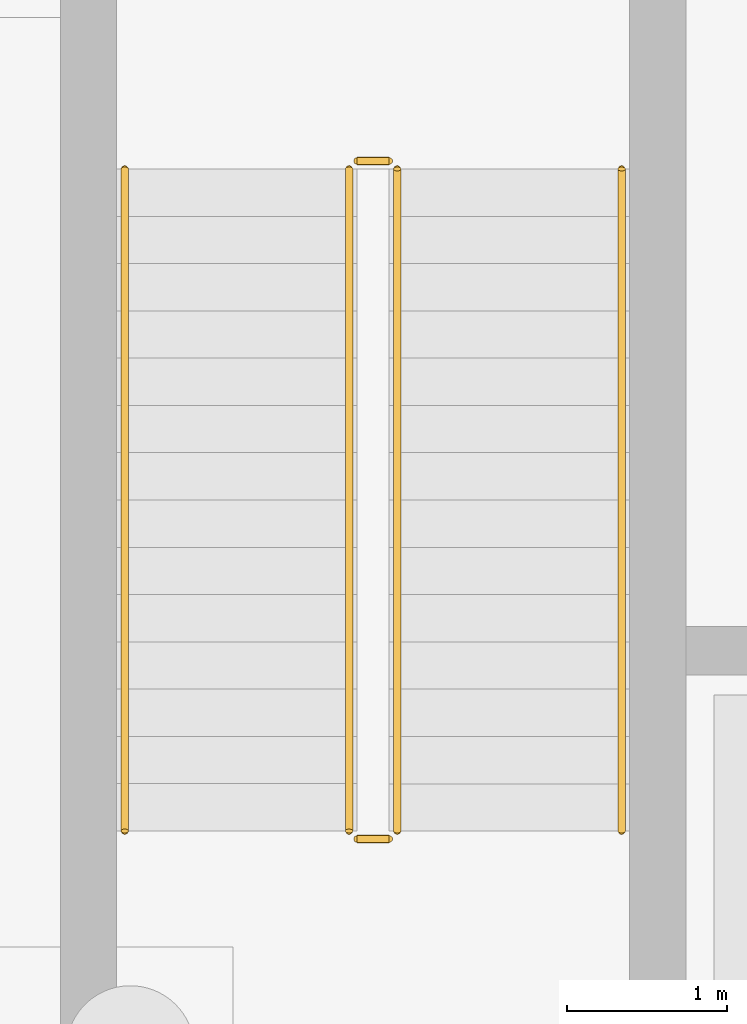
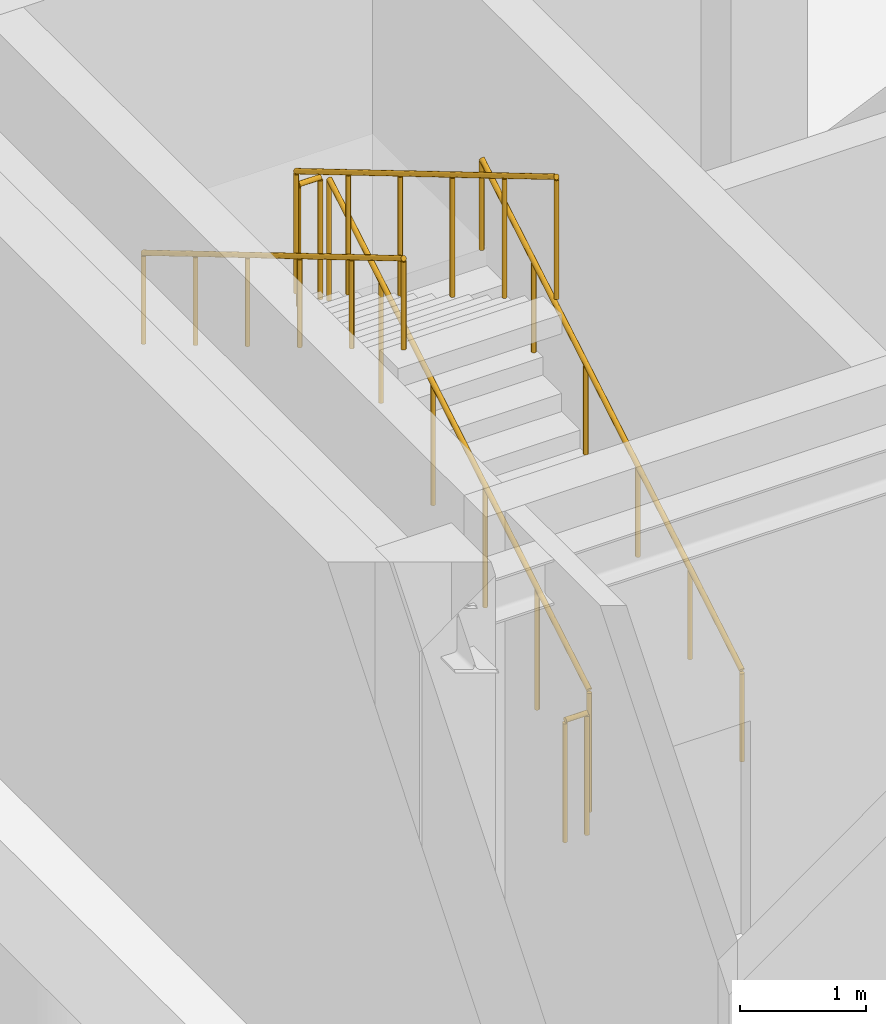
# One storey, part 28 of 33: 6 railings.
"""IFC4 building model written with IfcOpenShell, lengths in metres."""

from ifc_helpers import new_model, si_unit, direction, frame, origin, origin_2d, place, context, subcontext, project, spatial, circle, extrude, material, layer, layer_set, type_object, element, save


model = new_model("IFC4")

# Units and contexts
model_context = context("Model", 3, precision=1e-05, world=origin(), true_north=direction((0.0, 1.0)))
body_context = subcontext(model_context, "Body", "Model", "MODEL_VIEW")
ifc_project = project(units=[si_unit("LENGTHUNIT", "METRE"), si_unit("AREAUNIT", "SQUARE_METRE"), si_unit("VOLUMEUNIT", "CUBIC_METRE"), si_unit("PLANEANGLEUNIT", "RADIAN"), si_unit("MASSUNIT", "GRAM", prefix="KILO")], contexts=[model_context])

# Site, building, storey
site_placement = place(None, origin())
site = spatial("IfcSite", under=ifc_project, at=site_placement, CompositionType="ELEMENT")
building_placement = place(site_placement, origin())
building = spatial("IfcBuilding", under=site, at=building_placement, Name="Nordkorset Police Headquarters", CompositionType="ELEMENT")
storey_placement = place(building_placement, frame((0.0, 0.0, -9.800048828125)))
storey = spatial("IfcBuildingStorey", under=building, at=storey_placement, Name="B02", CompositionType="ELEMENT", Elevation=-9.800048828125)

# Railings
ifc_material_1 = material(Name="Steel S355J2", Category="steel")
ifc_layer_1 = layer(ifc_material_1, 0.048095703125, Name="Steel S355J2")
ifc_layer_set_1 = layer_set([ifc_layer_1], Name="Steel S355J2")
railing_type_1 = type_object("IfcRailingType", Name="Railing_Handrail_900", PredefinedType="HANDRAIL", material=ifc_layer_set_1)
railing_1_placement = place(storey_placement, frame((4.324951171875, 41.02490234375, 0.175048828125)))
element("IfcRailing", 1, at=railing_1_placement, inside=storey, type_object=railing_type_1, Name="B02 ST-04 stair handrail 1", PredefinedType="HANDRAIL", context=body_context, shape_type="SweptSolid", body=[
    extrude(circle(Radius=0.02392578125, at=origin_2d()), frame((0.0, 0.0, 0.8759765625), z_axis=(0.0, 0.860065997128, 0.510182791345), x_axis=(-1.0, 0.0, 0.0)), (0.0, 0.0, 1.0), 4.802001953125),
    extrude(circle(Radius=0.02099609375, at=origin_2d()), origin(), (0.0, 0.0, 1.0), 0.851806640625),
    extrude(circle(Radius=0.02099609375, at=origin_2d()), frame((0.0, 0.825927734375, 0.489990234375)), (0.0, 0.0, 1.0), 0.851806640625),
    extrude(circle(Radius=0.02099609375, at=origin_2d()), frame((0.0, 1.652099609375, 0.97998046875)), (0.0, 0.0, 1.0), 0.851806640625),
    extrude(circle(Radius=0.02099609375, at=origin_2d()), frame((0.0, 2.47802734375, 1.469970703125)), (0.0, 0.0, 1.0), 0.851806640625),
    extrude(circle(Radius=0.02099609375, at=origin_2d()), frame((0.0, 3.30419921875, 1.9599609375)), (0.0, 0.0, 1.0), 0.851806640625),
    extrude(circle(Radius=0.02099609375, at=origin_2d()), frame((0.0, 4.130126953125, 2.449951171875)), (0.0, 0.0, 1.0), 0.851806640625),
])
railing_2_placement = place(storey_placement, frame((1.22509765625, 45.155029296875, 2.800048828125)))
element("IfcRailing", 2, at=railing_2_placement, inside=storey, type_object=railing_type_1, Name="B02 ST-04 stair handrail 2", PredefinedType="HANDRAIL", context=body_context, shape_type="SweptSolid", body=[
    extrude(circle(Radius=0.02392578125, at=origin_2d()), frame((0.0, 0.0, 0.8759765625), z_axis=(0.0, -0.860065997128, 0.510182791345), x_axis=(1.0, 0.0, 0.0)), (0.0, 0.0, 1.0), 4.802001953125),
    extrude(circle(Radius=0.02099609375, at=origin_2d()), origin(), (0.0, 0.0, 1.0), 0.851806640625),
    extrude(circle(Radius=0.02099609375, at=origin_2d()), frame((0.0, -0.825927734375, 0.489990234375)), (0.0, 0.0, 1.0), 0.851806640625),
    extrude(circle(Radius=0.02099609375, at=origin_2d()), frame((0.0, -1.652099609375, 0.97998046875)), (0.0, 0.0, 1.0), 0.851806640625),
    extrude(circle(Radius=0.02099609375, at=origin_2d()), frame((0.0, -2.47802734375, 1.469970703125)), (0.0, 0.0, 1.0), 0.851806640625),
    extrude(circle(Radius=0.02099609375, at=origin_2d()), frame((0.0, -3.30419921875, 1.9599609375)), (0.0, 0.0, 1.0), 0.851806640625),
    extrude(circle(Radius=0.02099609375, at=origin_2d()), frame((0.0, -4.130126953125, 2.449951171875)), (0.0, 0.0, 1.0), 0.851806640625),
])
ifc_material_2 = material(Name="Steel S355J2", Category="steel")
ifc_layer_2 = layer(ifc_material_2, 0.050048828125, Name="Steel S355J2")
ifc_layer_set_2 = layer_set([ifc_layer_2], Name="Steel S355J2")
railing_type_2 = type_object("IfcRailingType", Name="Railing_StairGuard_1200", PredefinedType="GUARDRAIL", material=ifc_layer_set_2)
railing_3_placement = place(storey_placement, frame((2.925048828125, 41.02490234375, 0.175048828125)))
element("IfcRailing", 3, at=railing_3_placement, inside=storey, type_object=railing_type_2, Name="B02 ST-04 stair guard 1", PredefinedType="GUARDRAIL", context=body_context, shape_type="SweptSolid", body=[
    extrude(circle(Radius=0.02392578125, at=origin_2d()), frame((0.0, 0.0, 1.17578125), z_axis=(0.0, 0.860065997128, 0.510182791345), x_axis=(-1.0, 0.0, 0.0)), (0.0, 0.0, 1.0), 4.802001953125),
    extrude(circle(Radius=0.02099609375, at=origin_2d()), origin(), (0.0, 0.0, 1.0), 1.15185546875),
    extrude(circle(Radius=0.02099609375, at=origin_2d()), frame((0.0, 0.825927734375, 0.489990234375)), (0.0, 0.0, 1.0), 1.15185546875),
    extrude(circle(Radius=0.02099609375, at=origin_2d()), frame((0.0, 1.652099609375, 0.97998046875)), (0.0, 0.0, 1.0), 1.15185546875),
    extrude(circle(Radius=0.02099609375, at=origin_2d()), frame((0.0, 2.47802734375, 1.469970703125)), (0.0, 0.0, 1.0), 1.15185546875),
    extrude(circle(Radius=0.02099609375, at=origin_2d()), frame((0.0, 3.30419921875, 1.9599609375)), (0.0, 0.0, 1.0), 1.15185546875),
    extrude(circle(Radius=0.02099609375, at=origin_2d()), frame((0.0, 4.130126953125, 2.449951171875)), (0.0, 0.0, 1.0), 1.15185546875),
])
railing_4_placement = place(storey_placement, frame((2.875, 45.205078125, 2.625)))
element("IfcRailing", 4, at=railing_4_placement, inside=storey, type_object=railing_type_2, Name="B02 ST-04 stair guard 2", PredefinedType="GUARDRAIL", context=body_context, shape_type="SweptSolid", body=[
    extrude(circle(Radius=0.02392578125, at=origin_2d()), frame((0.0, 0.0, 1.17578125), z_axis=(-1.0, 0.0, 0.0), x_axis=(0.0, -1.0, 0.0)), (0.0, 0.0, 1.0), 0.199951171875),
    extrude(circle(Radius=0.02099609375, at=origin_2d()), origin(), (0.0, 0.0, 1.0), 1.15185546875),
    extrude(circle(Radius=0.02099609375, at=origin_2d()), frame((-0.199951171875, 0.0, 0.0)), (0.0, 0.0, 1.0), 1.15185546875),
])
railing_5_placement = place(storey_placement, frame((2.625, 45.155029296875, 2.800048828125)))
element("IfcRailing", 5, at=railing_5_placement, inside=storey, type_object=railing_type_2, Name="B02 ST-04 stair guard 3", PredefinedType="GUARDRAIL", context=body_context, shape_type="SweptSolid", body=[
    extrude(circle(Radius=0.02392578125, at=origin_2d()), frame((0.0, 0.0, 1.17578125), z_axis=(0.0, -0.860065997128, 0.510182791345), x_axis=(1.0, 0.0, 0.0)), (0.0, 0.0, 1.0), 4.802001953125),
    extrude(circle(Radius=0.02099609375, at=origin_2d()), origin(), (0.0, 0.0, 1.0), 1.15185546875),
    extrude(circle(Radius=0.02099609375, at=origin_2d()), frame((0.0, -0.825927734375, 0.489990234375)), (0.0, 0.0, 1.0), 1.15185546875),
    extrude(circle(Radius=0.02099609375, at=origin_2d()), frame((0.0, -1.652099609375, 0.97998046875)), (0.0, 0.0, 1.0), 1.15185546875),
    extrude(circle(Radius=0.02099609375, at=origin_2d()), frame((0.0, -2.47802734375, 1.469970703125)), (0.0, 0.0, 1.0), 1.15185546875),
    extrude(circle(Radius=0.02099609375, at=origin_2d()), frame((0.0, -3.30419921875, 1.9599609375)), (0.0, 0.0, 1.0), 1.15185546875),
    extrude(circle(Radius=0.02099609375, at=origin_2d()), frame((0.0, -4.130126953125, 2.449951171875)), (0.0, 0.0, 1.0), 1.15185546875),
])
railing_6_placement = place(storey_placement, frame((2.875, 40.97509765625, 0.0)))
element("IfcRailing", 6, at=railing_6_placement, inside=storey, type_object=railing_type_2, Name="B02 ST-04 stair guard 4", PredefinedType="GUARDRAIL", context=body_context, shape_type="SweptSolid", body=[
    extrude(circle(Radius=0.02392578125, at=origin_2d()), frame((0.0, 0.0, 1.17578125), z_axis=(-1.0, 0.0, 0.0), x_axis=(0.0, -1.0, 0.0)), (0.0, 0.0, 1.0), 0.199951171875),
    extrude(circle(Radius=0.02099609375, at=origin_2d()), origin(), (0.0, 0.0, 1.0), 1.15185546875),
    extrude(circle(Radius=0.02099609375, at=origin_2d()), frame((-0.199951171875, 0.0, 0.0)), (0.0, 0.0, 1.0), 1.15185546875),
])

save(model, "model.ifc")
